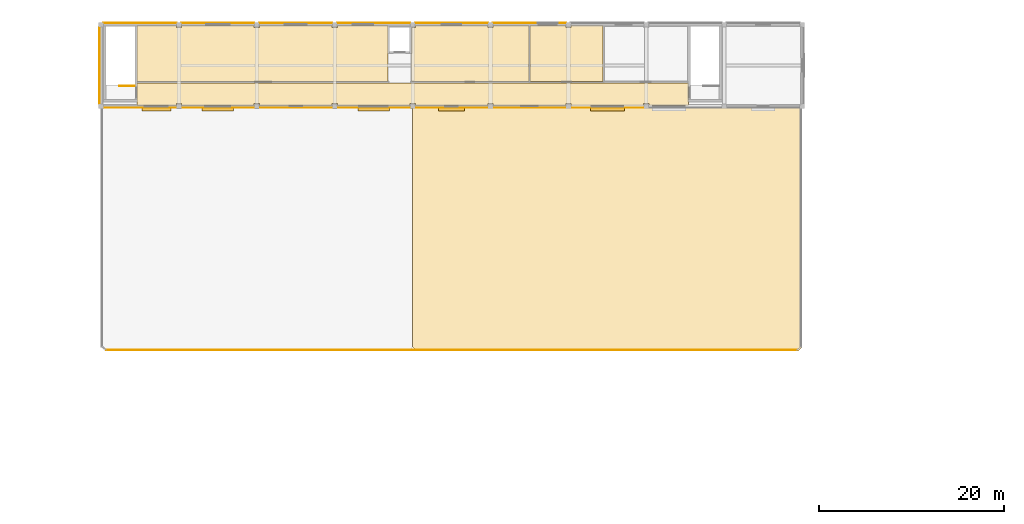
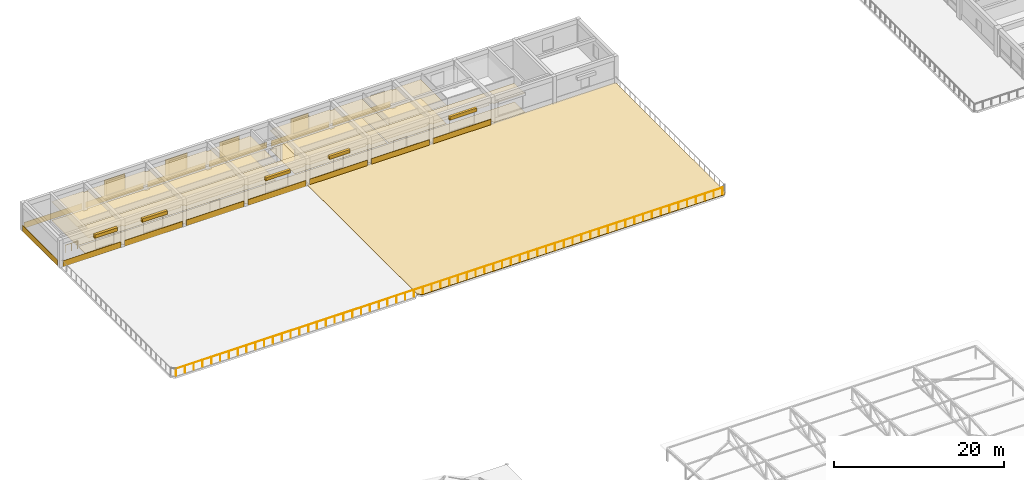
# One storey, part 44 of 49: 23 coverings, 9 shading devices, 2 railings.
"""IFC4 building model written with IfcOpenShell, lengths in metres."""

from ifc_helpers import new_model, si_unit, direction, frame, origin, origin_2d, place, context, subcontext, project, spatial, polyline, rectangle, circle, outline, extrude, material, layer, layer_set, type_object, element, save


model = new_model("IFC4")

# Units and contexts
model_context = context("Model", 3, precision=1e-05, world=origin(), true_north=direction((0.0, 1.0)))
body_context = subcontext(model_context, "Body", "Model", "MODEL_VIEW")
ifc_project = project(units=[si_unit("LENGTHUNIT", "METRE"), si_unit("AREAUNIT", "SQUARE_METRE"), si_unit("VOLUMEUNIT", "CUBIC_METRE"), si_unit("PLANEANGLEUNIT", "RADIAN"), si_unit("MASSUNIT", "GRAM", prefix="KILO")], contexts=[model_context])

# Site, building, storey
site_placement = place(None, origin())
site = spatial("IfcSite", under=ifc_project, at=site_placement, CompositionType="ELEMENT")
building_placement = place(site_placement, origin())
building = spatial("IfcBuilding", under=site, at=building_placement, Name="Kemercrest Conservatory and Botanical Centre", CompositionType="ELEMENT")
storey_placement = place(building_placement, frame((0.0, 0.0, 13.199951171875)))
storey = spatial("IfcBuildingStorey", under=building, at=storey_placement, Name="L03", CompositionType="ELEMENT", Elevation=13.199951171875)

# Coverings
ifc_material_1 = material(Name="Honed limestone almasik ashlar rainscreen", Category="masonry")
ifc_layer_1 = layer(ifc_material_1, 0.0400390625)
ifc_layer_set_1 = layer_set([ifc_layer_1], Name="Honed limestone almasik ashlar rainscreen")
covering_type_1 = type_object("IfcCoveringType", Name="CV-CLD040", PredefinedType="CLADDING", material=ifc_layer_set_1)
covering_1_placement = place(storey_placement, origin())
element("IfcCovering", 1, at=covering_1_placement, inside=storey, type_object=covering_type_1, Name="Exterior stone spandrel cladding (WAL:L03:EXT-138)", PredefinedType="CLADDING", context=body_context, shape_type="SweptSolid", body=[
    extrude(outline(polyline([(16.659912109375, 113.449951171875), (16.659912109375, 113.409912109375), (24.5400390625, 113.409912109375), (24.5400390625, 113.449951171875), (16.659912109375, 113.449951171875)])), origin(), (0.0, 0.0, 1.0), 0.85009765625),
])
covering_2_placement = place(storey_placement, origin())
element("IfcCovering", 2, at=covering_2_placement, inside=storey, type_object=covering_type_1, Name="Exterior stone spandrel cladding (WAL:L03:EXT-139)", PredefinedType="CLADDING", context=body_context, shape_type="SweptSolid", body=[
    extrude(outline(polyline([(25.06005859375, 113.449951171875), (25.06005859375, 113.409912109375), (32.93994140625, 113.409912109375), (32.93994140625, 113.449951171875), (25.06005859375, 113.449951171875)])), origin(), (0.0, 0.0, 1.0), 0.85009765625),
])
covering_3_placement = place(storey_placement, origin())
element("IfcCovering", 3, at=covering_3_placement, inside=storey, type_object=covering_type_1, Name="Exterior stone spandrel cladding (WAL:L03:EXT-140)", PredefinedType="CLADDING", context=body_context, shape_type="SweptSolid", body=[
    extrude(outline(polyline([(33.4599609375, 113.449951171875), (33.4599609375, 113.409912109375), (41.340087890625, 113.409912109375), (41.340087890625, 113.449951171875), (33.4599609375, 113.449951171875)])), origin(), (0.0, 0.0, 1.0), 0.85009765625),
])
covering_4_placement = place(storey_placement, origin())
element("IfcCovering", 4, at=covering_4_placement, inside=storey, type_object=covering_type_1, Name="Exterior stone spandrel cladding (WAL:L03:EXT-141)", PredefinedType="CLADDING", context=body_context, shape_type="SweptSolid", body=[
    extrude(outline(polyline([(41.860107421875, 113.449951171875), (41.860107421875, 113.409912109375), (49.739990234375, 113.409912109375), (49.739990234375, 113.449951171875), (41.860107421875, 113.449951171875)])), origin(), (0.0, 0.0, 1.0), 0.85009765625),
])
covering_5_placement = place(storey_placement, origin())
element("IfcCovering", 5, at=covering_5_placement, inside=storey, type_object=covering_type_1, Name="Exterior stone spandrel cladding (WAL:L03:EXT-142)", PredefinedType="CLADDING", context=body_context, shape_type="SweptSolid", body=[
    extrude(outline(polyline([(50.260009765625, 113.449951171875), (50.260009765625, 113.409912109375), (58.139892578125, 113.409912109375), (58.139892578125, 113.449951171875), (50.260009765625, 113.449951171875)])), origin(), (0.0, 0.0, 1.0), 0.85009765625),
])
covering_6_placement = place(storey_placement, origin())
element("IfcCovering", 6, at=covering_6_placement, inside=storey, type_object=covering_type_1, Name="Exterior stone spandrel cladding (WAL:L03:EXT-143)", PredefinedType="CLADDING", context=body_context, shape_type="SweptSolid", body=[
    extrude(outline(polyline([(58.659912109375, 113.449951171875), (58.659912109375, 113.409912109375), (66.5400390625, 113.409912109375), (66.5400390625, 113.449951171875), (58.659912109375, 113.449951171875)])), origin(), (0.0, 0.0, 1.0), 0.85009765625),
])
covering_7_placement = place(storey_placement, origin())
element("IfcCovering", 7, at=covering_7_placement, inside=storey, type_object=covering_type_1, Name="Exterior stone spandrel cladding (WAL:L03:EXT-144)", PredefinedType="CLADDING", context=body_context, shape_type="SweptSolid", body=[
    extrude(outline(polyline([(67.06005859375, 113.449951171875), (67.06005859375, 113.409912109375), (74.93994140625, 113.409912109375), (74.93994140625, 113.449951171875), (67.06005859375, 113.449951171875)])), origin(), (0.0, 0.0, 1.0), 0.85009765625),
])
covering_8_placement = place(storey_placement, origin())
element("IfcCovering", 8, at=covering_8_placement, inside=storey, type_object=covering_type_1, Name="Exterior stone spandrel cladding (WAL:L03:EXT-151)", PredefinedType="CLADDING", context=body_context, shape_type="SweptSolid", body=[
    extrude(outline(polyline([(66.5400390625, 122.550048828125), (66.5400390625, 122.590087890625), (58.659912109375, 122.590087890625), (58.659912109375, 122.550048828125), (66.5400390625, 122.550048828125)])), origin(), (0.0, 0.0, 1.0), 0.85009765625),
])
covering_9_placement = place(storey_placement, origin())
element("IfcCovering", 9, at=covering_9_placement, inside=storey, type_object=covering_type_1, Name="Exterior stone spandrel cladding (WAL:L03:EXT-152)", PredefinedType="CLADDING", context=body_context, shape_type="SweptSolid", body=[
    extrude(outline(polyline([(58.139892578125, 122.550048828125), (58.139892578125, 122.590087890625), (50.260009765625, 122.590087890625), (50.260009765625, 122.550048828125), (58.139892578125, 122.550048828125)])), origin(), (0.0, 0.0, 1.0), 0.85009765625),
])
covering_10_placement = place(storey_placement, origin())
element("IfcCovering", 10, at=covering_10_placement, inside=storey, type_object=covering_type_1, Name="Exterior stone spandrel cladding (WAL:L03:EXT-153)", PredefinedType="CLADDING", context=body_context, shape_type="SweptSolid", body=[
    extrude(outline(polyline([(49.739990234375, 122.550048828125), (49.739990234375, 122.590087890625), (41.860107421875, 122.590087890625), (41.860107421875, 122.550048828125), (49.739990234375, 122.550048828125)])), origin(), (0.0, 0.0, 1.0), 0.85009765625),
])
covering_11_placement = place(storey_placement, origin())
element("IfcCovering", 11, at=covering_11_placement, inside=storey, type_object=covering_type_1, Name="Exterior stone spandrel cladding (WAL:L03:EXT-154)", PredefinedType="CLADDING", context=body_context, shape_type="SweptSolid", body=[
    extrude(outline(polyline([(41.340087890625, 122.550048828125), (41.340087890625, 122.590087890625), (33.4599609375, 122.590087890625), (33.4599609375, 122.550048828125), (41.340087890625, 122.550048828125)])), origin(), (0.0, 0.0, 1.0), 0.85009765625),
])
covering_12_placement = place(storey_placement, origin())
element("IfcCovering", 12, at=covering_12_placement, inside=storey, type_object=covering_type_1, Name="Exterior stone spandrel cladding (WAL:L03:EXT-155)", PredefinedType="CLADDING", context=body_context, shape_type="SweptSolid", body=[
    extrude(outline(polyline([(32.93994140625, 122.550048828125), (32.93994140625, 122.590087890625), (25.06005859375, 122.590087890625), (25.06005859375, 122.550048828125), (32.93994140625, 122.550048828125)])), origin(), (0.0, 0.0, 1.0), 0.85009765625),
])
covering_13_placement = place(storey_placement, origin())
element("IfcCovering", 13, at=covering_13_placement, inside=storey, type_object=covering_type_1, Name="Exterior stone spandrel cladding (WAL:L03:EXT-156)", PredefinedType="CLADDING", context=body_context, shape_type="SweptSolid", body=[
    extrude(outline(polyline([(24.5400390625, 122.550048828125), (24.5400390625, 122.590087890625), (16.659912109375, 122.590087890625), (16.659912109375, 122.550048828125), (24.5400390625, 122.550048828125)])), origin(), (0.0, 0.0, 1.0), 0.85009765625),
])
covering_14_placement = place(storey_placement, origin())
element("IfcCovering", 14, at=covering_14_placement, inside=storey, type_object=covering_type_1, Name="Exterior stone spandrel cladding (WAL:L03:EXT-157)", PredefinedType="CLADDING", context=body_context, shape_type="SweptSolid", body=[
    extrude(outline(polyline([(16.25, 122.139892578125), (16.2099609375, 122.139892578125), (16.2099609375, 113.860107421875), (16.25, 113.860107421875), (16.25, 122.139892578125)])), origin(), (0.0, 0.0, 1.0), 0.85009765625),
])
ifc_material_2 = material(Name="Perforated acoustic gypsum and mineral-fibre suspended ceiling", Category="gypsum")
ifc_layer_2 = layer(ifc_material_2, 0.034912109375)
ifc_layer_set_2 = layer_set([ifc_layer_2], Name="Perforated acoustic gypsum and mineral-fibre suspended ceiling")
covering_type_2 = type_object("IfcCoveringType", Name="CV-CLG035", PredefinedType="CEILING", material=ifc_layer_set_2)
covering_15_placement = place(storey_placement, frame((0.0, 0.0, 2.699951171875)))
element("IfcCovering", 15, at=covering_15_placement, inside=storey, type_object=covering_type_2, Name="Terrace Pavilion Corridor suspended acoustic ceiling", PredefinedType="CEILING", context=body_context, shape_type="SweptSolid", body=[
    extrude(outline(polyline([(75.489990234375, 113.679931640625), (79.719970703125, 113.679931640625), (79.719970703125, 116.1201171875), (20.280029296875, 116.1201171875), (20.280029296875, 113.679931640625), (24.510009765625, 113.679931640625), (24.510009765625, 113.889892578125), (25.090087890625, 113.889892578125), (25.090087890625, 113.679931640625), (32.909912109375, 113.679931640625), (32.909912109375, 113.889892578125), (33.489990234375, 113.889892578125), (33.489990234375, 113.679931640625), (41.31005859375, 113.679931640625), (41.31005859375, 113.889892578125), (41.889892578125, 113.889892578125), (41.889892578125, 113.679931640625), (49.7099609375, 113.679931640625), (49.7099609375, 113.889892578125), (50.2900390625, 113.889892578125), (50.2900390625, 113.679931640625), (58.110107421875, 113.679931640625), (58.110107421875, 113.889892578125), (58.68994140625, 113.889892578125), (58.68994140625, 113.679931640625), (66.510009765625, 113.679931640625), (66.510009765625, 113.889892578125), (67.090087890625, 113.889892578125), (67.090087890625, 113.679931640625), (74.909912109375, 113.679931640625), (74.909912109375, 113.889892578125), (75.489990234375, 113.889892578125), (75.489990234375, 113.679931640625)])), origin(), (0.0, 0.0, 1.0), 0.03515625),
])
covering_16_placement = place(storey_placement, frame((0.0, 0.0, 2.699951171875)))
element("IfcCovering", 16, at=covering_16_placement, inside=storey, type_object=covering_type_2, Name="Botanical Terrace Lounge suspended acoustic ceiling", PredefinedType="CEILING", context=body_context, shape_type="SweptSolid", body=[
    extrude(outline(polyline([(20.280029296875, 116.280029296875), (47.320068359375, 116.280029296875), (47.320068359375, 122.320068359375), (41.889892578125, 122.320068359375), (41.889892578125, 122.110107421875), (41.31005859375, 122.110107421875), (41.31005859375, 122.320068359375), (33.489990234375, 122.320068359375), (33.489990234375, 122.110107421875), (32.909912109375, 122.110107421875), (32.909912109375, 122.320068359375), (25.090087890625, 122.320068359375), (25.090087890625, 122.110107421875), (24.510009765625, 122.110107421875), (24.510009765625, 122.320068359375), (20.280029296875, 122.320068359375), (20.280029296875, 116.280029296875)])), origin(), (0.0, 0.0, 1.0), 0.03515625),
])
covering_17_placement = place(storey_placement, frame((0.0, 0.0, 2.699951171875)))
element("IfcCovering", 17, at=covering_17_placement, inside=storey, type_object=covering_type_2, Name="Horticultural Demonstration Studio suspended acoustic ceiling", PredefinedType="CEILING", context=body_context, shape_type="SweptSolid", body=[
    extrude(outline(polyline([(49.8798828125, 116.280029296875), (62.52001953125, 116.280029296875), (62.52001953125, 122.320068359375), (58.68994140625, 122.320068359375), (58.68994140625, 122.110107421875), (58.110107421875, 122.110107421875), (58.110107421875, 122.320068359375), (50.2900390625, 122.320068359375), (50.2900390625, 122.110107421875), (49.8798828125, 122.110107421875), (49.8798828125, 116.280029296875)])), origin(), (0.0, 0.0, 1.0), 0.03515625),
])
covering_18_placement = place(storey_placement, frame((0.0, 0.0, 2.699951171875)))
element("IfcCovering", 18, at=covering_18_placement, inside=storey, type_object=covering_type_2, Name="Terrace Accessible Washroom suspended acoustic ceiling", PredefinedType="CEILING", context=body_context, shape_type="SweptSolid", body=[
    extrude(outline(polyline([(62.679931640625, 116.280029296875), (70.52001953125, 116.280029296875), (70.52001953125, 122.320068359375), (67.090087890625, 122.320068359375), (67.090087890625, 122.110107421875), (66.510009765625, 122.110107421875), (66.510009765625, 122.320068359375), (62.679931640625, 122.320068359375), (62.679931640625, 116.280029296875)])), origin(), (0.0, 0.0, 1.0), 0.03515625),
])
ifc_material_3 = material(Name="Polished limestone terrazzo and seamless laboratory epoxy flooring", Category="masonry")
ifc_layer_3 = layer(ifc_material_3, 0.02001953125)
ifc_layer_set_3 = layer_set([ifc_layer_3], Name="Polished limestone terrazzo and seamless laboratory epoxy flooring")
covering_type_3 = type_object("IfcCoveringType", Name="CV-FLR020", PredefinedType="FLOORING", material=ifc_layer_set_3)
covering_19_placement = place(storey_placement, origin())
element("IfcCovering", 19, at=covering_19_placement, inside=storey, type_object=covering_type_3, Name="Terrace Pavilion Corridor floor finish", PredefinedType="FLOORING", context=body_context, shape_type="SweptSolid", body=[
    extrude(outline(polyline([(75.489990234375, 113.679931640625), (79.719970703125, 113.679931640625), (79.719970703125, 116.1201171875), (20.280029296875, 116.1201171875), (20.280029296875, 113.679931640625), (24.510009765625, 113.679931640625), (24.510009765625, 113.889892578125), (25.090087890625, 113.889892578125), (25.090087890625, 113.679931640625), (32.909912109375, 113.679931640625), (32.909912109375, 113.889892578125), (33.489990234375, 113.889892578125), (33.489990234375, 113.679931640625), (41.31005859375, 113.679931640625), (41.31005859375, 113.889892578125), (41.889892578125, 113.889892578125), (41.889892578125, 113.679931640625), (49.7099609375, 113.679931640625), (49.7099609375, 113.889892578125), (50.2900390625, 113.889892578125), (50.2900390625, 113.679931640625), (58.110107421875, 113.679931640625), (58.110107421875, 113.889892578125), (58.68994140625, 113.889892578125), (58.68994140625, 113.679931640625), (66.510009765625, 113.679931640625), (66.510009765625, 113.889892578125), (67.090087890625, 113.889892578125), (67.090087890625, 113.679931640625), (74.909912109375, 113.679931640625), (74.909912109375, 113.889892578125), (75.489990234375, 113.889892578125), (75.489990234375, 113.679931640625)])), origin(), (0.0, 0.0, 1.0), 0.02001953125),
])
covering_20_placement = place(storey_placement, origin())
element("IfcCovering", 20, at=covering_20_placement, inside=storey, type_object=covering_type_3, Name="Botanical Terrace Lounge floor finish", PredefinedType="FLOORING", context=body_context, shape_type="SweptSolid", body=[
    extrude(outline(polyline([(20.280029296875, 116.280029296875), (47.320068359375, 116.280029296875), (47.320068359375, 122.320068359375), (41.889892578125, 122.320068359375), (41.889892578125, 122.110107421875), (41.31005859375, 122.110107421875), (41.31005859375, 122.320068359375), (33.489990234375, 122.320068359375), (33.489990234375, 122.110107421875), (32.909912109375, 122.110107421875), (32.909912109375, 122.320068359375), (25.090087890625, 122.320068359375), (25.090087890625, 122.110107421875), (24.510009765625, 122.110107421875), (24.510009765625, 122.320068359375), (20.280029296875, 122.320068359375), (20.280029296875, 116.280029296875)])), origin(), (0.0, 0.0, 1.0), 0.02001953125),
])
covering_21_placement = place(storey_placement, origin())
element("IfcCovering", 21, at=covering_21_placement, inside=storey, type_object=covering_type_3, Name="Horticultural Demonstration Studio floor finish", PredefinedType="FLOORING", context=body_context, shape_type="SweptSolid", body=[
    extrude(outline(polyline([(49.8798828125, 116.280029296875), (62.52001953125, 116.280029296875), (62.52001953125, 122.320068359375), (58.68994140625, 122.320068359375), (58.68994140625, 122.110107421875), (58.110107421875, 122.110107421875), (58.110107421875, 122.320068359375), (50.2900390625, 122.320068359375), (50.2900390625, 122.110107421875), (49.8798828125, 122.110107421875), (49.8798828125, 116.280029296875)])), origin(), (0.0, 0.0, 1.0), 0.02001953125),
])
covering_22_placement = place(storey_placement, origin())
element("IfcCovering", 22, at=covering_22_placement, inside=storey, type_object=covering_type_3, Name="Terrace Accessible Washroom floor finish", PredefinedType="FLOORING", context=body_context, shape_type="SweptSolid", body=[
    extrude(outline(polyline([(62.679931640625, 116.280029296875), (70.52001953125, 116.280029296875), (70.52001953125, 122.320068359375), (67.090087890625, 122.320068359375), (67.090087890625, 122.110107421875), (66.510009765625, 122.110107421875), (66.510009765625, 122.320068359375), (62.679931640625, 122.320068359375), (62.679931640625, 116.280029296875)])), origin(), (0.0, 0.0, 1.0), 0.02001953125),
])
ifc_material_4 = material(Name="SBS modified bitumen insulated roofing membrane", Category="roofing")
ifc_layer_4 = layer(ifc_material_4, 0.06005859375)
ifc_layer_set_4 = layer_set([ifc_layer_4], Name="SBS modified bitumen insulated roofing membrane")
covering_type_4 = type_object("IfcCoveringType", Name="CV-RFG060", PredefinedType="ROOFING", material=ifc_layer_set_4)
covering_23_placement = place(storey_placement, origin())
element("IfcCovering", 23, at=covering_23_placement, inside=storey, type_object=covering_type_4, Name="Insulated roof membrane covering (V3 L03 Public Botanical Roof Terrace Slab 2)", PredefinedType="ROOFING", context=body_context, shape_type="SweptSolid", body=[
    extrude(outline(polyline([(50.449951171875, 87.199951171875), (91.550048828125, 87.199951171875), (92.0, 87.64990234375), (92.0, 113.60009765625), (50.0, 113.60009765625), (50.0, 87.64990234375), (50.449951171875, 87.199951171875)])), origin(), (0.0, 0.0, 1.0), 0.06005859375),
])

# Railings
ifc_material_5 = material(Name="Painted galvanized steel tubular stair guardrail", Category="steel")
railing_type_1 = type_object("IfcRailingType", Name="GR-STR110", PredefinedType="GUARDRAIL", material=ifc_material_5)
railing_1_placement = place(storey_placement, frame((20.0400390625, 115.7900390625, 0.0)))
element("IfcRailing", 24, at=railing_1_placement, inside=storey, type_object=railing_type_1, Name="L03 ST-V3A top well guard 1", PredefinedType="GUARDRAIL", context=body_context, shape_type="SweptSolid", body=[
    extrude(circle(Radius=0.02392578125, at=origin_2d()), frame((0.0, 0.0, 1.076171875), z_axis=(-1.0, 0.0, 0.0), x_axis=(0.0, -1.0, 0.0)), (0.0, 0.0, 1.0), 1.679931640625),
    extrude(circle(Radius=0.02099609375, at=origin_2d()), origin(), (0.0, 0.0, 1.0), 1.052001953125),
    extrude(circle(Radius=0.02099609375, at=origin_2d()), frame((-0.83984375, 0.0, 0.0)), (0.0, 0.0, 1.0), 1.052001953125),
    extrude(circle(Radius=0.02099609375, at=origin_2d()), frame((-1.679931640625, 0.0, 0.0)), (0.0, 0.0, 1.0), 1.052001953125),
])
ifc_material_6 = material(Name="Architectural bronze-anodized steel balustrade", Category="steel")
railing_type_2 = type_object("IfcRailingType", Name="GR-TER110", PredefinedType="GUARDRAIL", material=ifc_material_6)
railing_2_placement = place(storey_placement, frame((17.0, 87.300048828125, 0.0)))
element("IfcRailing", 25, at=railing_2_placement, inside=storey, type_object=railing_type_2, Name="Safety guardrail GR-TER110 (V3-TER-3)", PredefinedType="GUARDRAIL", context=body_context, shape_type="SweptSolid", body=[
    extrude(circle(Radius=0.02392578125, at=origin_2d()), frame((0.0, 0.0, 1.076171875), z_axis=(1.0, 0.0, 0.0), x_axis=(0.0, 1.0, 0.0)), (0.0, 0.0, 1.0), 74.39990234375),
    extrude(circle(Radius=0.02099609375, at=origin_2d()), origin(), (0.0, 0.0, 1.0), 1.052001953125),
    extrude(circle(Radius=0.02099609375, at=origin_2d()), frame((1.199951171875, 0.0, 0.0)), (0.0, 0.0, 1.0), 1.052001953125),
    extrude(circle(Radius=0.02099609375, at=origin_2d()), frame((2.39990234375, 0.0, 0.0)), (0.0, 0.0, 1.0), 1.052001953125),
    extrude(circle(Radius=0.02099609375, at=origin_2d()), frame((3.60009765625, 0.0, 0.0)), (0.0, 0.0, 1.0), 1.052001953125),
    extrude(circle(Radius=0.02099609375, at=origin_2d()), frame((4.800048828125, 0.0, 0.0)), (0.0, 0.0, 1.0), 1.052001953125),
    extrude(circle(Radius=0.02099609375, at=origin_2d()), frame((6.0, 0.0, 0.0)), (0.0, 0.0, 1.0), 1.052001953125),
    extrude(circle(Radius=0.02099609375, at=origin_2d()), frame((7.199951171875, 0.0, 0.0)), (0.0, 0.0, 1.0), 1.052001953125),
    extrude(circle(Radius=0.02099609375, at=origin_2d()), frame((8.39990234375, 0.0, 0.0)), (0.0, 0.0, 1.0), 1.052001953125),
    extrude(circle(Radius=0.02099609375, at=origin_2d()), frame((9.60009765625, 0.0, 0.0)), (0.0, 0.0, 1.0), 1.052001953125),
    extrude(circle(Radius=0.02099609375, at=origin_2d()), frame((10.800048828125, 0.0, 0.0)), (0.0, 0.0, 1.0), 1.052001953125),
    extrude(circle(Radius=0.02099609375, at=origin_2d()), frame((12.0, 0.0, 0.0)), (0.0, 0.0, 1.0), 1.052001953125),
    extrude(circle(Radius=0.02099609375, at=origin_2d()), frame((13.199951171875, 0.0, 0.0)), (0.0, 0.0, 1.0), 1.052001953125),
    extrude(circle(Radius=0.02099609375, at=origin_2d()), frame((14.39990234375, 0.0, 0.0)), (0.0, 0.0, 1.0), 1.052001953125),
    extrude(circle(Radius=0.02099609375, at=origin_2d()), frame((15.60009765625, 0.0, 0.0)), (0.0, 0.0, 1.0), 1.052001953125),
    extrude(circle(Radius=0.02099609375, at=origin_2d()), frame((16.800048828125, 0.0, 0.0)), (0.0, 0.0, 1.0), 1.052001953125),
    extrude(circle(Radius=0.02099609375, at=origin_2d()), frame((18.0, 0.0, 0.0)), (0.0, 0.0, 1.0), 1.052001953125),
    extrude(circle(Radius=0.02099609375, at=origin_2d()), frame((19.199951171875, 0.0, 0.0)), (0.0, 0.0, 1.0), 1.052001953125),
    extrude(circle(Radius=0.02099609375, at=origin_2d()), frame((20.39990234375, 0.0, 0.0)), (0.0, 0.0, 1.0), 1.052001953125),
    extrude(circle(Radius=0.02099609375, at=origin_2d()), frame((21.599853515625, 0.0, 0.0)), (0.0, 0.0, 1.0), 1.052001953125),
    extrude(circle(Radius=0.02099609375, at=origin_2d()), frame((22.800048828125, 0.0, 0.0)), (0.0, 0.0, 1.0), 1.052001953125),
    extrude(circle(Radius=0.02099609375, at=origin_2d()), frame((24.0, 0.0, 0.0)), (0.0, 0.0, 1.0), 1.052001953125),
    extrude(circle(Radius=0.02099609375, at=origin_2d()), frame((25.199951171875, 0.0, 0.0)), (0.0, 0.0, 1.0), 1.052001953125),
    extrude(circle(Radius=0.02099609375, at=origin_2d()), frame((26.39990234375, 0.0, 0.0)), (0.0, 0.0, 1.0), 1.052001953125),
    extrude(circle(Radius=0.02099609375, at=origin_2d()), frame((27.599853515625, 0.0, 0.0)), (0.0, 0.0, 1.0), 1.052001953125),
    extrude(circle(Radius=0.02099609375, at=origin_2d()), frame((28.800048828125, 0.0, 0.0)), (0.0, 0.0, 1.0), 1.052001953125),
    extrude(circle(Radius=0.02099609375, at=origin_2d()), frame((30.0, 0.0, 0.0)), (0.0, 0.0, 1.0), 1.052001953125),
    extrude(circle(Radius=0.02099609375, at=origin_2d()), frame((31.199951171875, 0.0, 0.0)), (0.0, 0.0, 1.0), 1.052001953125),
    extrude(circle(Radius=0.02099609375, at=origin_2d()), frame((32.39990234375, 0.0, 0.0)), (0.0, 0.0, 1.0), 1.052001953125),
    extrude(circle(Radius=0.02099609375, at=origin_2d()), frame((33.599853515625, 0.0, 0.0)), (0.0, 0.0, 1.0), 1.052001953125),
    extrude(circle(Radius=0.02099609375, at=origin_2d()), frame((34.800048828125, 0.0, 0.0)), (0.0, 0.0, 1.0), 1.052001953125),
    extrude(circle(Radius=0.02099609375, at=origin_2d()), frame((36.0, 0.0, 0.0)), (0.0, 0.0, 1.0), 1.052001953125),
    extrude(circle(Radius=0.02099609375, at=origin_2d()), frame((37.199951171875, 0.0, 0.0)), (0.0, 0.0, 1.0), 1.052001953125),
    extrude(circle(Radius=0.02099609375, at=origin_2d()), frame((38.39990234375, 0.0, 0.0)), (0.0, 0.0, 1.0), 1.052001953125),
    extrude(circle(Radius=0.02099609375, at=origin_2d()), frame((39.599853515625, 0.0, 0.0)), (0.0, 0.0, 1.0), 1.052001953125),
    extrude(circle(Radius=0.02099609375, at=origin_2d()), frame((40.800048828125, 0.0, 0.0)), (0.0, 0.0, 1.0), 1.052001953125),
    extrude(circle(Radius=0.02099609375, at=origin_2d()), frame((42.0, 0.0, 0.0)), (0.0, 0.0, 1.0), 1.052001953125),
    extrude(circle(Radius=0.02099609375, at=origin_2d()), frame((43.199951171875, 0.0, 0.0)), (0.0, 0.0, 1.0), 1.052001953125),
    extrude(circle(Radius=0.02099609375, at=origin_2d()), frame((44.39990234375, 0.0, 0.0)), (0.0, 0.0, 1.0), 1.052001953125),
    extrude(circle(Radius=0.02099609375, at=origin_2d()), frame((45.599853515625, 0.0, 0.0)), (0.0, 0.0, 1.0), 1.052001953125),
    extrude(circle(Radius=0.02099609375, at=origin_2d()), frame((46.800048828125, 0.0, 0.0)), (0.0, 0.0, 1.0), 1.052001953125),
    extrude(circle(Radius=0.02099609375, at=origin_2d()), frame((48.0, 0.0, 0.0)), (0.0, 0.0, 1.0), 1.052001953125),
    extrude(circle(Radius=0.02099609375, at=origin_2d()), frame((49.199951171875, 0.0, 0.0)), (0.0, 0.0, 1.0), 1.052001953125),
    extrude(circle(Radius=0.02099609375, at=origin_2d()), frame((50.39990234375, 0.0, 0.0)), (0.0, 0.0, 1.0), 1.052001953125),
    extrude(circle(Radius=0.02099609375, at=origin_2d()), frame((51.599853515625, 0.0, 0.0)), (0.0, 0.0, 1.0), 1.052001953125),
    extrude(circle(Radius=0.02099609375, at=origin_2d()), frame((52.800048828125, 0.0, 0.0)), (0.0, 0.0, 1.0), 1.052001953125),
    extrude(circle(Radius=0.02099609375, at=origin_2d()), frame((54.0, 0.0, 0.0)), (0.0, 0.0, 1.0), 1.052001953125),
    extrude(circle(Radius=0.02099609375, at=origin_2d()), frame((55.199951171875, 0.0, 0.0)), (0.0, 0.0, 1.0), 1.052001953125),
    extrude(circle(Radius=0.02099609375, at=origin_2d()), frame((56.39990234375, 0.0, 0.0)), (0.0, 0.0, 1.0), 1.052001953125),
    extrude(circle(Radius=0.02099609375, at=origin_2d()), frame((57.599853515625, 0.0, 0.0)), (0.0, 0.0, 1.0), 1.052001953125),
    extrude(circle(Radius=0.02099609375, at=origin_2d()), frame((58.7998046875, 0.0, 0.0)), (0.0, 0.0, 1.0), 1.052001953125),
    extrude(circle(Radius=0.02099609375, at=origin_2d()), frame((60.0, 0.0, 0.0)), (0.0, 0.0, 1.0), 1.052001953125),
    extrude(circle(Radius=0.02099609375, at=origin_2d()), frame((61.199951171875, 0.0, 0.0)), (0.0, 0.0, 1.0), 1.052001953125),
    extrude(circle(Radius=0.02099609375, at=origin_2d()), frame((62.39990234375, 0.0, 0.0)), (0.0, 0.0, 1.0), 1.052001953125),
    extrude(circle(Radius=0.02099609375, at=origin_2d()), frame((63.599853515625, 0.0, 0.0)), (0.0, 0.0, 1.0), 1.052001953125),
    extrude(circle(Radius=0.02099609375, at=origin_2d()), frame((64.7998046875, 0.0, 0.0)), (0.0, 0.0, 1.0), 1.052001953125),
    extrude(circle(Radius=0.02099609375, at=origin_2d()), frame((66.0, 0.0, 0.0)), (0.0, 0.0, 1.0), 1.052001953125),
    extrude(circle(Radius=0.02099609375, at=origin_2d()), frame((67.199951171875, 0.0, 0.0)), (0.0, 0.0, 1.0), 1.052001953125),
    extrude(circle(Radius=0.02099609375, at=origin_2d()), frame((68.39990234375, 0.0, 0.0)), (0.0, 0.0, 1.0), 1.052001953125),
    extrude(circle(Radius=0.02099609375, at=origin_2d()), frame((69.599853515625, 0.0, 0.0)), (0.0, 0.0, 1.0), 1.052001953125),
    extrude(circle(Radius=0.02099609375, at=origin_2d()), frame((70.7998046875, 0.0, 0.0)), (0.0, 0.0, 1.0), 1.052001953125),
    extrude(circle(Radius=0.02099609375, at=origin_2d()), frame((72.0, 0.0, 0.0)), (0.0, 0.0, 1.0), 1.052001953125),
    extrude(circle(Radius=0.02099609375, at=origin_2d()), frame((73.199951171875, 0.0, 0.0)), (0.0, 0.0, 1.0), 1.052001953125),
    extrude(circle(Radius=0.02099609375, at=origin_2d()), frame((74.39990234375, 0.0, 0.0)), (0.0, 0.0, 1.0), 1.052001953125),
])

# Shading devices
ifc_material_7 = material(Name="Architectural bronze-anodized extruded aluminium", Category="aluminium")
shading_device_type_1 = type_object("IfcShadingDeviceType", Name="SH-JL02", PredefinedType="JALOUSIE", material=ifc_material_7)
shading_device_1_placement = place(storey_placement, frame((45.800048828125, 113.277099609375, 2.93505859375), z_axis=(0.0, 0.0, 1.0), x_axis=(1.0, 0.0, 0.0)))
element("IfcShadingDevice", 26, at=shading_device_1_placement, inside=storey, type_object=shading_device_type_1, Name="Solar control louvre visor SH-JL02 (WIN:L03:EXT-141)", PredefinedType="JALOUSIE", context=body_context, shape_type="SweptSolid", body=[
    extrude(rectangle(XDim=3.360107421875, YDim=0.35009765625, at=origin_2d()), origin(), (0.0, 0.0, 1.0), 0.449951171875),
])
shading_device_type_2 = type_object("IfcShadingDeviceType", Name="SH-JL03", PredefinedType="JALOUSIE", material=ifc_material_7)
shading_device_2_placement = place(storey_placement, frame((54.199951171875, 113.277099609375, 2.9951171875), z_axis=(0.0, 0.0, 1.0), x_axis=(1.0, 0.0, 0.0)))
element("IfcShadingDevice", 27, at=shading_device_2_placement, inside=storey, type_object=shading_device_type_2, Name="Solar control louvre visor SH-JL03 (WIN:L03:EXT-142)", PredefinedType="JALOUSIE", context=body_context, shape_type="SweptSolid", body=[
    extrude(rectangle(XDim=2.800048828125, YDim=0.35009765625, at=origin_2d()), origin(), (0.0, 0.0, 1.0), 0.449951171875),
])
shading_device_type_3 = type_object("IfcShadingDeviceType", Name="SH-JL04", PredefinedType="JALOUSIE", material=ifc_material_7)
shading_device_3_placement = place(storey_placement, frame((22.3701171875, 113.277099609375, 2.81005859375), z_axis=(0.0, 0.0, 1.0), x_axis=(1.0, 0.0, 0.0)))
element("IfcShadingDevice", 28, at=shading_device_3_placement, inside=storey, type_object=shading_device_type_3, Name="Solar control louvre visor SH-JL04 (WIN:L03:EXT-138)", PredefinedType="JALOUSIE", context=body_context, shape_type="SweptSolid", body=[
    extrude(rectangle(XDim=3.10009765625, YDim=0.35009765625, at=origin_2d()), origin(), (0.0, 0.0, 1.0), 0.5),
])
shading_device_type_4 = type_object("IfcShadingDeviceType", Name="SH-JL05", PredefinedType="JALOUSIE", material=ifc_material_7)
shading_device_4_placement = place(storey_placement, frame((29.0, 113.277099609375, 2.85009765625), z_axis=(0.0, 0.0, 1.0), x_axis=(1.0, 0.0, 0.0)))
element("IfcShadingDevice", 29, at=shading_device_4_placement, inside=storey, type_object=shading_device_type_4, Name="Solar control louvre visor SH-JL05 (WIN:L03:EXT-139)", PredefinedType="JALOUSIE", context=body_context, shape_type="SweptSolid", body=[
    extrude(rectangle(XDim=3.39990234375, YDim=0.35009765625, at=origin_2d()), origin(), (0.0, 0.0, 1.0), 0.5),
])
shading_device_5_placement = place(storey_placement, frame((71.0, 113.277099609375, 2.880126953125), z_axis=(0.0, 0.0, 1.0), x_axis=(1.0, 0.0, 0.0)))
element("IfcShadingDevice", 30, at=shading_device_5_placement, inside=storey, type_object=shading_device_type_4, Name="Solar control louvre visor SH-JL05 (WIN:L03:EXT-144)", PredefinedType="JALOUSIE", context=body_context, shape_type="SweptSolid", body=[
    extrude(rectangle(XDim=3.679931640625, YDim=0.35009765625, at=origin_2d()), origin(), (0.0, 0.0, 1.0), 0.5),
])
ifc_material_8 = material(Name="Perforated bronze-anodized aluminium", Category="aluminium")
shading_device_type_5 = type_object("IfcShadingDeviceType", Name="SH-MS01", PredefinedType="USERDEFINED", material=ifc_material_8)
shading_device_6_placement = place(storey_placement, frame((29.0, 122.587890625, 0.8798828125), z_axis=(0.0, 0.0, 1.0), x_axis=(-1.0, 0.0, 0.0)))
element("IfcShadingDevice", 31, at=shading_device_6_placement, inside=storey, type_object=shading_device_type_5, Name="Ottoman mashrabiya perforated screen SH-MS01 (WIN:L03:EXT-155)", ObjectType="MASHRABIYA SCREEN", PredefinedType="USERDEFINED", context=body_context, shape_type="SweptSolid", body=[
    extrude(rectangle(XDim=2.820068359375, YDim=0.080078125, at=origin_2d()), origin(), (0.0, 0.0, 1.0), 2.199951171875),
])
shading_device_type_6 = type_object("IfcShadingDeviceType", Name="SH-MS03", PredefinedType="USERDEFINED", material=ifc_material_8)
shading_device_7_placement = place(storey_placement, frame((54.199951171875, 122.587890625, 0.8203125), z_axis=(0.0, 0.0, 1.0), x_axis=(-1.0, 0.0, 0.0)))
element("IfcShadingDevice", 32, at=shading_device_7_placement, inside=storey, type_object=shading_device_type_6, Name="Ottoman mashrabiya perforated screen SH-MS03 (WIN:L03:EXT-152)", ObjectType="MASHRABIYA SCREEN", PredefinedType="USERDEFINED", context=body_context, shape_type="SweptSolid", body=[
    extrude(rectangle(XDim=2.39990234375, YDim=0.080078125, at=origin_2d()), origin(), (0.0, 0.0, 1.0), 2.199951171875),
])
shading_device_type_7 = type_object("IfcShadingDeviceType", Name="SH-MS04", PredefinedType="USERDEFINED", material=ifc_material_8)
shading_device_8_placement = place(storey_placement, frame((44.6298828125, 122.587890625, 0.81982421875), z_axis=(0.0, 0.0, 1.0), x_axis=(-1.0, 0.0, 0.0)))
element("IfcShadingDevice", 33, at=shading_device_8_placement, inside=storey, type_object=shading_device_type_7, Name="Ottoman mashrabiya perforated screen SH-MS04 (WIN:L03:EXT-153)", ObjectType="MASHRABIYA SCREEN", PredefinedType="USERDEFINED", context=body_context, shape_type="SweptSolid", body=[
    extrude(rectangle(XDim=2.699951171875, YDim=0.080078125, at=origin_2d()), origin(), (0.0, 0.0, 1.0), 2.239990234375),
])
shading_device_type_8 = type_object("IfcShadingDeviceType", Name="SH-MS05", PredefinedType="USERDEFINED", material=ifc_material_8)
shading_device_9_placement = place(storey_placement, frame((37.39990234375, 122.587890625, 0.81982421875), z_axis=(0.0, 0.0, 1.0), x_axis=(-1.0, 0.0, 0.0)))
element("IfcShadingDevice", 34, at=shading_device_9_placement, inside=storey, type_object=shading_device_type_8, Name="Ottoman mashrabiya perforated screen SH-MS05 (WIN:L03:EXT-154)", ObjectType="MASHRABIYA SCREEN", PredefinedType="USERDEFINED", context=body_context, shape_type="SweptSolid", body=[
    extrude(rectangle(XDim=3.0, YDim=0.080078125, at=origin_2d()), origin(), (0.0, 0.0, 1.0), 2.280029296875),
])

save(model, "model.ifc")
